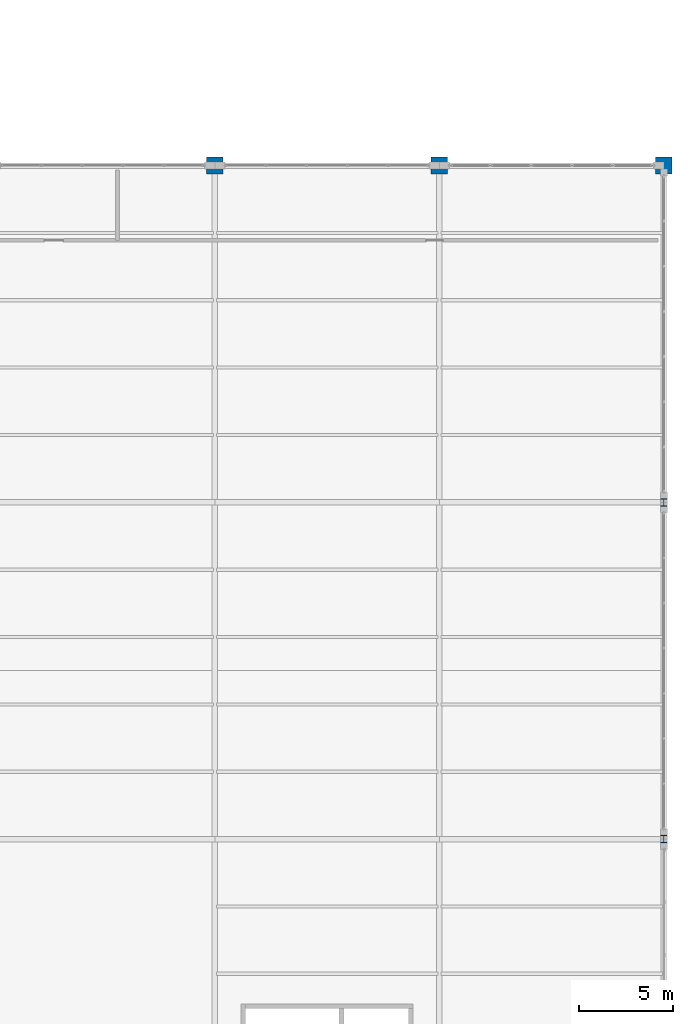
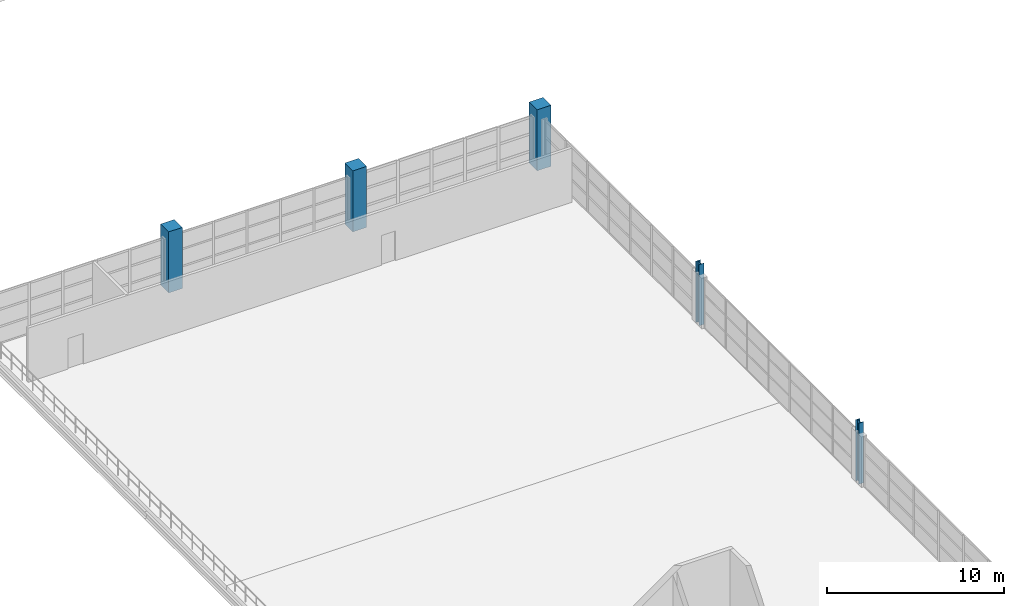
# One storey, part 16 of 158: 5 columns.
"""IFC4 building model written with IfcOpenShell, lengths in metres."""

from ifc_helpers import new_model, si_unit, direction, frame, origin, origin_2d, place, context, subcontext, project, spatial, rectangle, i_section, extrude, material, material_profile, profile_set, type_object, element, save


model = new_model("IFC4")

# Units and contexts
model_context = context("Model", 3, precision=1e-05, world=origin(), true_north=direction((0.0, 1.0)))
body_context = subcontext(model_context, "Body", "Model", "MODEL_VIEW")
ifc_project = project(units=[si_unit("LENGTHUNIT", "METRE"), si_unit("AREAUNIT", "SQUARE_METRE"), si_unit("VOLUMEUNIT", "CUBIC_METRE"), si_unit("PLANEANGLEUNIT", "RADIAN"), si_unit("MASSUNIT", "GRAM", prefix="KILO")], contexts=[model_context])

# Site, building, storey
site_placement = place(None, origin())
site = spatial("IfcSite", under=ifc_project, at=site_placement, CompositionType="ELEMENT")
building_placement = place(site_placement, origin())
building = spatial("IfcBuilding", under=site, at=building_placement, Name="Zilviju Railside Exhibition Hall", CompositionType="ELEMENT")
storey_placement = place(building_placement, frame((0.0, 0.0, 4.199951171875)))
storey = spatial("IfcBuildingStorey", under=building, at=storey_placement, Name="L02", CompositionType="ELEMENT", Elevation=4.199951171875)

# Columns
ifc_material_1 = material(Name="Concrete C40/50", Category="concrete")
ifc_material_profile_1 = material_profile(ifc_material_1, rectangle(XDim=0.89990234375, YDim=0.89990234375, at=origin_2d()), Name="RC COL 900x900")
ifc_profile_set_1 = profile_set([ifc_material_profile_1], Name="Concrete C40/50")
column_type_1 = type_object("IfcColumnType", Name="COL-RC-900", PredefinedType="COLUMN", material=ifc_profile_set_1)
for number, where, z_axis, x_axis, name in (
    (1, (192.0, 54.0, 0.0), (0.0, 0.0, 1.0), (1.0, 0.0, 0.0), "Structural Column L02 (192.0, 54.0)"),
    (2, (204.0, 54.0, 0.0), (0.0, 0.0, 1.0), (1.0, 0.0, 0.0), "Structural Column L02 (204.0, 54.0)"),
    (3, (216.0, 54.0, 0.0), (0.0, 0.0, 1.0), (1.0, 0.0, 0.0), "Structural Column L02 (216.0, 54.0)"),
):
    element("IfcColumn", number, at=place(storey_placement, frame(where, z_axis=z_axis, x_axis=x_axis)), inside=storey, type_object=column_type_1, Name=name, PredefinedType="COLUMN", context=body_context, shape_type="SweptSolid", body=[
        extrude(rectangle(XDim=0.89990234375, YDim=0.89990234375, at=origin_2d()), origin(), (0.0, 0.0, 1.0), 4.199951171875),
    ])
ifc_material_2 = material(Name="Steel S355J2", Category="steel")
ifc_material_profile_2 = material_profile(ifc_material_2, i_section(OverallWidth=0.300048828125, OverallDepth=0.39990234375, WebThickness=0.013427734375, FlangeThickness=0.02392578125, at=origin_2d()), Name="HEB 400")
ifc_profile_set_2 = profile_set([ifc_material_profile_2], Name="Steel S355J2")
column_type_2 = type_object("IfcColumnType", Name="COL-ST-HEB400", PredefinedType="COLUMN", material=ifc_profile_set_2)
for number, where, z_axis, x_axis, name in (
    (4, (216.0, 18.0, 0.0), (0.0, 0.0, 1.0), (1.0, 0.0, 0.0), "Structural Column L02 (216.0, 18.0)"),
    (5, (216.0, 36.0, 0.0), (0.0, 0.0, 1.0), (1.0, 0.0, 0.0), "Structural Column L02 (216.0, 36.0)"),
):
    element("IfcColumn", number, at=place(storey_placement, frame(where, z_axis=z_axis, x_axis=x_axis)), inside=storey, type_object=column_type_2, Name=name, PredefinedType="COLUMN", context=body_context, shape_type="SweptSolid", body=[
        extrude(i_section(OverallWidth=0.300048828125, OverallDepth=0.39990234375, WebThickness=0.013427734375, FlangeThickness=0.02392578125, at=origin_2d()), origin(), (0.0, 0.0, 1.0), 4.199951171875),
    ])

save(model, "model.ifc")
